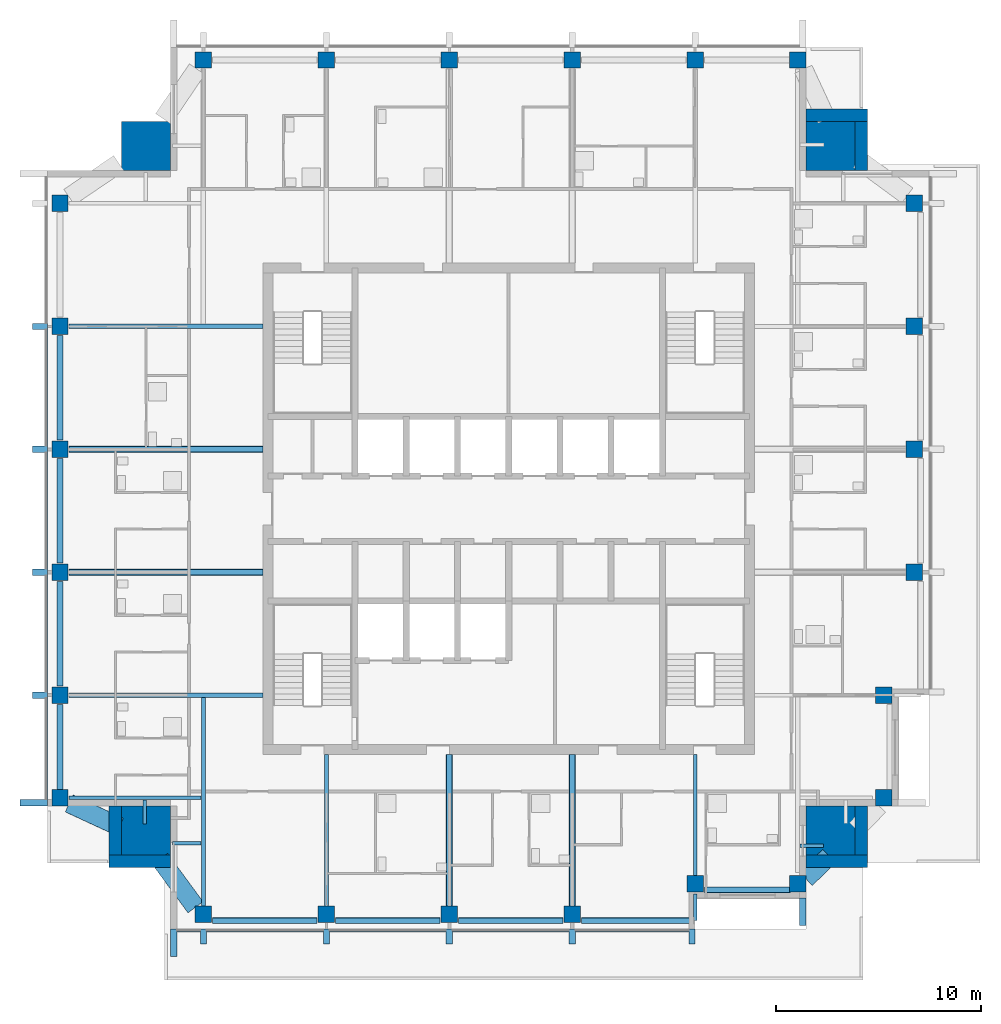
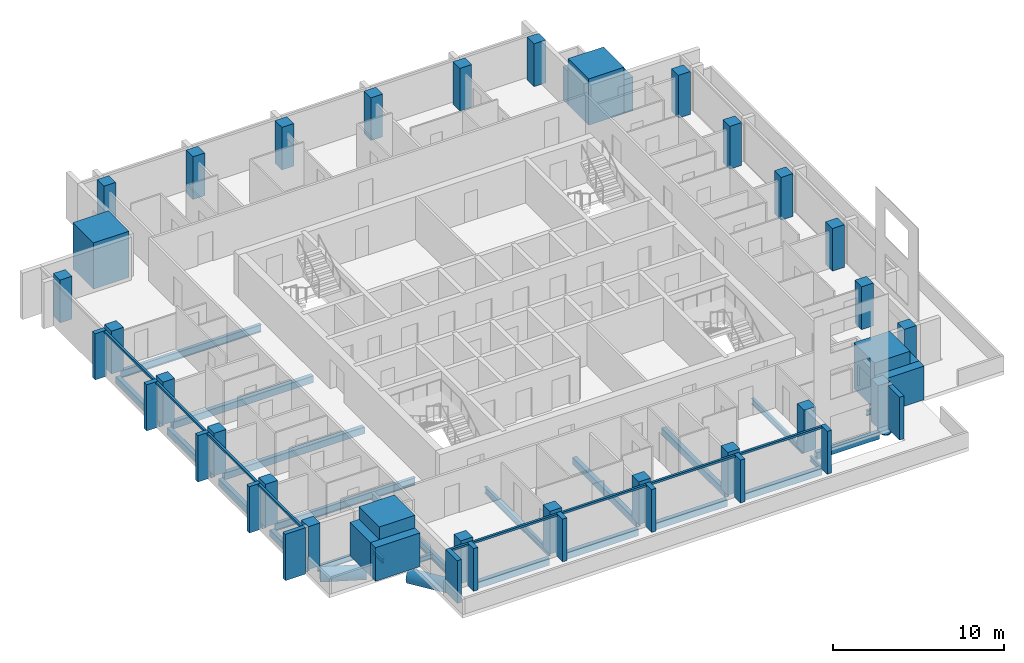
# One storey, part 1 of 11: 34 columns, 26 beams, 21 members, 2 elements without a shape of their own.
"""IFC4 building model written with IfcOpenShell, lengths in metres."""

from ifc_helpers import new_model, si_unit, direction, frame, origin, origin_2d, place, context, subcontext, project, spatial, rectangle, hollow_rectangle, hollow_circle, i_section, extrude, material, material_profile, profile_set, type_object, element, aggregate, save


model = new_model("IFC4")

# Units and contexts
model_context = context("Model", 3, precision=1e-05, world=origin(), true_north=direction((0.0, 1.0)))
body_context = subcontext(model_context, "Body", "Model", "MODEL_VIEW")
ifc_project = project(units=[si_unit("LENGTHUNIT", "METRE"), si_unit("AREAUNIT", "SQUARE_METRE"), si_unit("VOLUMEUNIT", "CUBIC_METRE"), si_unit("PLANEANGLEUNIT", "RADIAN"), si_unit("MASSUNIT", "GRAM", prefix="KILO")], contexts=[model_context])

# Site, building, storey
site_placement = place(None, origin())
site = spatial("IfcSite", under=ifc_project, at=site_placement, CompositionType="ELEMENT")
building_placement = place(site_placement, origin())
building = spatial("IfcBuilding", under=site, at=building_placement, Name="Amberfall Residences", CompositionType="ELEMENT")
storey_placement = place(building_placement, frame((0.0, 0.0, 238.89990234375)))
storey = spatial("IfcBuildingStorey", under=building, at=storey_placement, Name="L63", CompositionType="ELEMENT", Elevation=238.89990234375)

# Columns
ifc_material_1 = material(Name="Concrete C50", Category="concrete")
ifc_material_profile_1 = material_profile(ifc_material_1, rectangle(XDim=0.800048828125, YDim=0.800048828125, at=origin_2d()), Name="Column 800 x 800 C50")
ifc_profile_set_1 = profile_set([ifc_material_profile_1], Name="Concrete C50")
column_type_1 = type_object("IfcColumnType", Name="Column 800 x 800 C50", PredefinedType="COLUMN", material=ifc_profile_set_1)
for number, where, z_axis, x_axis, name in (
    (1, (59.60009765625, 25.699951171875, 0.0), (0.0, 0.0, 1.0), (1.0, 0.0, 0.0), "Column C5 L63 S1"),
    (2, (65.60009765625, 25.699951171875, 0.0), (0.0, 0.0, 1.0), (1.0, 0.0, 0.0), "Column C5 L63 S2"),
    (3, (71.60009765625, 25.699951171875, 0.0), (0.0, 0.0, 1.0), (1.0, 0.0, 0.0), "Column C5 L63 S3"),
    (4, (77.60009765625, 25.699951171875, 0.0), (0.0, 0.0, 1.0), (1.0, 0.0, 0.0), "Column C5 L63 S4"),
    (5, (83.60009765625, 27.199951171875, 0.0), (0.0, 0.0, 1.0), (1.0, 0.0, 0.0), "Column C5 L63 S5"),
    (6, (88.60009765625, 27.199951171875, 0.0), (0.0, 0.0, 1.0), (1.0, 0.0, 0.0), "Column C5 L63 S6"),
    (7, (92.800048828125, 31.39990234375, 0.0), (0.0, 0.0, 1.0), (1.0, 0.0, 0.0), "Column C5 L63 E1"),
    (8, (92.800048828125, 36.39990234375, 0.0), (0.0, 0.0, 1.0), (1.0, 0.0, 0.0), "Column C5 L63 E2"),
    (9, (94.300048828125, 42.39990234375, 0.0), (0.0, 0.0, 1.0), (1.0, 0.0, 0.0), "Column C5 L63 E3"),
    (10, (94.300048828125, 48.39990234375, 0.0), (0.0, 0.0, 1.0), (1.0, 0.0, 0.0), "Column C5 L63 E4"),
    (11, (94.300048828125, 54.39990234375, 0.0), (0.0, 0.0, 1.0), (1.0, 0.0, 0.0), "Column C5 L63 E5"),
    (12, (94.300048828125, 60.39990234375, 0.0), (0.0, 0.0, 1.0), (1.0, 0.0, 0.0), "Column C5 L63 E6"),
    (13, (59.60009765625, 67.39990234375, 0.0), (0.0, 0.0, 1.0), (1.0, 0.0, 0.0), "Column C5 L63 N1"),
    (14, (65.60009765625, 67.39990234375, 0.0), (0.0, 0.0, 1.0), (1.0, 0.0, 0.0), "Column C5 L63 N2"),
    (15, (71.60009765625, 67.39990234375, 0.0), (0.0, 0.0, 1.0), (1.0, 0.0, 0.0), "Column C5 L63 N3"),
    (16, (77.60009765625, 67.39990234375, 0.0), (0.0, 0.0, 1.0), (1.0, 0.0, 0.0), "Column C5 L63 N4"),
    (17, (83.60009765625, 67.39990234375, 0.0), (0.0, 0.0, 1.0), (1.0, 0.0, 0.0), "Column C5 L63 N5"),
    (18, (88.60009765625, 67.39990234375, 0.0), (0.0, 0.0, 1.0), (1.0, 0.0, 0.0), "Column C5 L63 N6"),
    (19, (52.60009765625, 31.39990234375, 0.0), (0.0, 0.0, 1.0), (1.0, 0.0, 0.0), "Column C5 L63 W1"),
    (20, (52.60009765625, 36.39990234375, 0.0), (0.0, 0.0, 1.0), (1.0, 0.0, 0.0), "Column C5 L63 W2"),
    (21, (52.60009765625, 42.39990234375, 0.0), (0.0, 0.0, 1.0), (1.0, 0.0, 0.0), "Column C5 L63 W3"),
    (22, (52.60009765625, 48.39990234375, 0.0), (0.0, 0.0, 1.0), (1.0, 0.0, 0.0), "Column C5 L63 W4"),
    (23, (52.60009765625, 54.39990234375, 0.0), (0.0, 0.0, 1.0), (1.0, 0.0, 0.0), "Column C5 L63 W5"),
    (24, (52.60009765625, 60.39990234375, 0.0), (0.0, 0.0, 1.0), (1.0, 0.0, 0.0), "Column C5 L63 W6"),
):
    element("IfcColumn", number, at=place(storey_placement, frame(where, z_axis=z_axis, x_axis=x_axis)), inside=storey, type_object=column_type_1, Name=name, PredefinedType="COLUMN", context=body_context, shape_type="SweptSolid", body=[
        extrude(rectangle(XDim=0.800048828125, YDim=0.800048828125, at=origin_2d()), origin(), (0.0, 0.0, 1.0), 3.050048828125),
    ])
ifc_material_profile_2 = material_profile(ifc_material_1, rectangle(XDim=3.0, YDim=0.60009765625, at=origin_2d()), Name="Mega collar 3000 x 600 C50")
ifc_profile_set_2 = profile_set([ifc_material_profile_2], Name="Concrete C50")
column_type_2 = type_object("IfcColumnType", Name="Mega collar 3000 x 600 C50", PredefinedType="COLUMN", material=ifc_profile_set_2)
for number, where, z_axis, x_axis, name in (
    (25, (56.5, 28.300048828125, 0.0), (0.0, 0.0, 1.0), (1.0, 0.0, 0.0), "Mega collar MC12 L63 SW a"),
    (26, (90.5, 28.300048828125, 0.0), (0.0, 0.0, 1.0), (1.0, 0.0, 0.0), "Mega collar MC12 L63 SE a"),
    (27, (90.5, 64.699951171875, 0.0), (0.0, 0.0, 1.0), (1.0, 0.0, 0.0), "Mega collar MC12 L63 NE a"),
):
    element("IfcColumn", number, at=place(storey_placement, frame(where, z_axis=z_axis, x_axis=x_axis)), inside=storey, type_object=column_type_2, Name=name, PredefinedType="COLUMN", context=body_context, shape_type="SweptSolid", body=[
        extrude(rectangle(XDim=3.0, YDim=0.60009765625, at=origin_2d()), origin(), (0.0, 0.0, 1.0), 2.400146484375),
    ])
ifc_material_profile_3 = material_profile(ifc_material_1, rectangle(XDim=0.60009765625, YDim=2.39990234375, at=origin_2d()), Name="Mega collar 600 x 2400 C50")
ifc_profile_set_3 = profile_set([ifc_material_profile_3], Name="Concrete C50")
column_type_3 = type_object("IfcColumnType", Name="Mega collar 600 x 2400 C50", PredefinedType="COLUMN", material=ifc_profile_set_3)
for number, where, z_axis, x_axis, name in (
    (28, (55.300048828125, 29.800048828125, 0.0), (0.0, 0.0, 1.0), (1.0, 0.0, 0.0), "Mega collar MC13 L63 SW b"),
    (29, (91.699951171875, 29.800048828125, 0.0), (0.0, 0.0, 1.0), (1.0, 0.0, 0.0), "Mega collar MC13 L63 SE b"),
    (30, (91.699951171875, 63.199951171875, 0.0), (0.0, 0.0, 1.0), (1.0, 0.0, 0.0), "Mega collar MC13 L63 NE b"),
):
    element("IfcColumn", number, at=place(storey_placement, frame(where, z_axis=z_axis, x_axis=x_axis)), inside=storey, type_object=column_type_3, Name=name, PredefinedType="COLUMN", context=body_context, shape_type="SweptSolid", body=[
        extrude(rectangle(XDim=0.60009765625, YDim=2.39990234375, at=origin_2d()), origin(), (0.0, 0.0, 1.0), 2.400146484375),
    ])
ifc_material_profile_4 = material_profile(ifc_material_1, rectangle(XDim=2.39990234375, YDim=2.39990234375, at=origin_2d()), Name="Mega column 2400 x 2400 C50")
ifc_profile_set_4 = profile_set([ifc_material_profile_4], Name="Concrete C50")
column_type_4 = type_object("IfcColumnType", Name="Mega column 2400 x 2400 C50", PredefinedType="COLUMN", material=ifc_profile_set_4)
for number, where, z_axis, x_axis, name in (
    (31, (56.800048828125, 29.800048828125, 0.0), (0.0, 0.0, 1.0), (1.0, 0.0, 0.0), "Mega column MC11 L63 SW"),
    (32, (90.199951171875, 29.800048828125, 0.0), (0.0, 0.0, 1.0), (1.0, 0.0, 0.0), "Mega column MC11 L63 SE"),
    (33, (90.199951171875, 63.199951171875, 0.0), (0.0, 0.0, 1.0), (1.0, 0.0, 0.0), "Mega column MC11 L63 NE"),
    (34, (56.800048828125, 63.199951171875, 0.0), (0.0, 0.0, 1.0), (1.0, 0.0, 0.0), "Mega column MC11 L63 NW"),
):
    element("IfcColumn", number, at=place(storey_placement, frame(where, z_axis=z_axis, x_axis=x_axis)), inside=storey, type_object=column_type_4, Name=name, PredefinedType="COLUMN", context=body_context, shape_type="SweptSolid", body=[
        extrude(rectangle(XDim=2.39990234375, YDim=2.39990234375, at=origin_2d()), origin(), (0.0, 0.0, 1.0), 3.300048828125),
    ])

# Beams
ifc_material_2 = material(Name="Steel S355", Category="steel")
ifc_material_profile_5 = material_profile(ifc_material_2, hollow_circle(Radius=0.457275390625, WallThickness=0.06005859375, at=origin_2d()), Name="CHS 914.4x60")
ifc_profile_set_5 = profile_set([ifc_material_profile_5], Name="Steel S355")
beam_type_1 = type_object("IfcBeamType", Name="Belt truss chord BT CHS 914.4x60", PredefinedType="BEAM", material=ifc_profile_set_5)
beam_1_placement = place(storey_placement, frame((57.482421875, 28.406494140625, -0.70703125), z_axis=(0.592794884594, -0.805353478169, 0.0), x_axis=(0.805353478169, 0.592794884594, 0.0)))
element("IfcBeam", 35, at=beam_1_placement, inside=storey, type_object=beam_type_1, Name="Belt truss chord BT BT2 L63 47", PredefinedType="BEAM", context=body_context, shape_type="SweptSolid", body=[
    extrude(hollow_circle(Radius=0.457275390625, WallThickness=0.06005859375, at=origin_2d()), origin(), (0.0, 0.0, 1.0), 2.926513671875),
])
beam_2_placement = place(storey_placement, frame((55.497802734375, 29.983642578125, -0.70703125), z_axis=(-0.907593410347, 0.419850213165, 0.0), x_axis=(-0.419850213165, -0.907593410347, 0.0)))
element("IfcBeam", 36, at=beam_2_placement, inside=storey, type_object=beam_type_1, Name="Belt truss chord BT BT2 L63 48", PredefinedType="BEAM", context=body_context, shape_type="SweptSolid", body=[
    extrude(hollow_circle(Radius=0.457275390625, WallThickness=0.06005859375, at=origin_2d()), origin(), (0.0, 0.0, 1.0), 2.697021484375),
])
beam_3_placement = place(storey_placement, frame((90.146240234375, 28.548095703125, -0.70703125), z_axis=(-0.720082066306, -0.693888908821, 0.0), x_axis=(0.693888908821, -0.720082066306, 0.0)))
element("IfcBeam", 37, at=beam_3_placement, inside=storey, type_object=beam_type_1, Name="Belt truss chord BT BT2 L63 49", PredefinedType="BEAM", context=body_context, shape_type="SweptSolid", body=[
    extrude(hollow_circle(Radius=0.457275390625, WallThickness=0.06005859375, at=origin_2d()), origin(), (0.0, 0.0, 1.0), 1.59375),
])
ifc_material_profile_6 = material_profile(ifc_material_2, hollow_rectangle(XDim=0.300048828125, YDim=0.5, WallThickness=0.01611328125, InnerFilletRadius=0.01611328125, OuterFilletRadius=0.02392578125, at=origin_2d()), Name="RHS 500x300x16")
ifc_profile_set_6 = profile_set([ifc_material_profile_6], Name="Steel S355")
beam_type_2 = type_object("IfcBeamType", Name="Belt truss chord BT RHS 500x300x16", PredefinedType="BEAM", material=ifc_profile_set_6)
for number, where, z_axis, x_axis, name in (
    (38, (60.050048828125, 25.39990234375, -0.5), (1.0, 0.0, 0.0), (0.0, 1.0, 0.0), "Belt truss chord BT BT1 L63 01"),
    (39, (66.050048828125, 25.39990234375, -0.5), (1.0, 0.0, 0.0), (0.0, 1.0, 0.0), "Belt truss chord BT BT1 L63 02"),
    (40, (72.050048828125, 25.39990234375, -0.5), (1.0, 0.0, 0.0), (0.0, 1.0, 0.0), "Belt truss chord BT BT1 L63 03"),
):
    element("IfcBeam", number, at=place(storey_placement, frame(where, z_axis=z_axis, x_axis=x_axis)), inside=storey, type_object=beam_type_2, Name=name, PredefinedType="BEAM", context=body_context, shape_type="SweptSolid", body=[
        extrude(hollow_rectangle(XDim=0.300048828125, YDim=0.5, WallThickness=0.01611328125, InnerFilletRadius=0.01611328125, OuterFilletRadius=0.02392578125, at=origin_2d()), origin(), (0.0, 0.0, 1.0), 5.099853515625),
    ])
beam_4_placement = place(storey_placement, frame((78.050048828125, 25.39990234375, -0.5), z_axis=(1.0, 0.0, 0.0), x_axis=(0.0, 1.0, 0.0)))
element("IfcBeam", 41, at=beam_4_placement, inside=storey, type_object=beam_type_2, Name="Belt truss chord BT BT1 L63 04", PredefinedType="BEAM", context=body_context, shape_type="SweptSolid", body=[
    extrude(hollow_rectangle(XDim=0.300048828125, YDim=0.5, WallThickness=0.01611328125, InnerFilletRadius=0.01611328125, OuterFilletRadius=0.02392578125, at=origin_2d()), origin(), (0.0, 0.0, 1.0), 5.469970703125),
])
beam_5_placement = place(storey_placement, frame((84.050048828125, 26.89990234375, -0.5), z_axis=(1.0, 0.0, 0.0), x_axis=(0.0, 1.0, 0.0)))
element("IfcBeam", 42, at=beam_5_placement, inside=storey, type_object=beam_type_2, Name="Belt truss chord BT BT1 L63 05", PredefinedType="BEAM", context=body_context, shape_type="SweptSolid", body=[
    extrude(hollow_rectangle(XDim=0.300048828125, YDim=0.5, WallThickness=0.01611328125, InnerFilletRadius=0.01611328125, OuterFilletRadius=0.02392578125, at=origin_2d()), origin(), (0.0, 0.0, 1.0), 4.21240234375),
])
beam_6_placement = place(storey_placement, frame((52.60009765625, 31.79833984375, -0.5), z_axis=(0.0, 1.0, 0.0), x_axis=(-1.0, 0.0, 0.0)))
element("IfcBeam", 43, at=beam_6_placement, inside=storey, type_object=beam_type_2, Name="Belt truss chord BT BT1 L63 36", PredefinedType="BEAM", context=body_context, shape_type="SweptSolid", body=[
    extrude(hollow_rectangle(XDim=0.300048828125, YDim=0.5, WallThickness=0.01611328125, InnerFilletRadius=0.01611328125, OuterFilletRadius=0.02392578125, at=origin_2d()), origin(), (0.0, 0.0, 1.0), 4.151611328125),
])
for number, where, z_axis, x_axis, name in (
    (44, (52.60009765625, 36.85009765625, -0.5), (0.0, 1.0, 0.0), (-1.0, 0.0, 0.0), "Belt truss chord BT BT1 L63 37"),
    (45, (52.60009765625, 42.85009765625, -0.5), (0.0, 1.0, 0.0), (-1.0, 0.0, 0.0), "Belt truss chord BT BT1 L63 38"),
    (46, (52.60009765625, 48.85009765625, -0.5), (0.0, 1.0, 0.0), (-1.0, 0.0, 0.0), "Belt truss chord BT BT1 L63 39"),
):
    element("IfcBeam", number, at=place(storey_placement, frame(where, z_axis=z_axis, x_axis=x_axis)), inside=storey, type_object=beam_type_2, Name=name, PredefinedType="BEAM", context=body_context, shape_type="SweptSolid", body=[
        extrude(hollow_rectangle(XDim=0.300048828125, YDim=0.5, WallThickness=0.01611328125, InnerFilletRadius=0.01611328125, OuterFilletRadius=0.02392578125, at=origin_2d()), origin(), (0.0, 0.0, 1.0), 5.099853515625),
    ])

# Curtain wall, members
ifc_material_3 = material(Name="Bronze anodised aluminium and glass", Category="aluminium")
curtain_wall_type = type_object("IfcCurtainWallType", Name="Curtain wall CW1 tower unit", PredefinedType="USERDEFINED", material=ifc_material_3)
curtain_wall_1_placement = place(storey_placement, origin())
curtain_wall_1 = element("IfcCurtainWall", 47, at=curtain_wall_1_placement, inside=storey, type_object=curtain_wall_type, Name="Curtain wall L63 S S1", ObjectType="UNITISED CURTAIN WALL", PredefinedType="USERDEFINED")
ifc_material_4 = material(Name="Bronze anodised aluminium", Category="aluminium")
ifc_material_profile_7 = material_profile(ifc_material_4, rectangle(XDim=0.14990234375, YDim=0.14990234375, at=origin_2d()), Name="CW1 transom 150 x 150 bronze")
ifc_profile_set_7 = profile_set([ifc_material_profile_7], Name="Bronze anodised aluminium")
member_type_1 = type_object("IfcMemberType", Name="CW1 transom 150 x 150 bronze", PredefinedType="USERDEFINED", material=ifc_profile_set_7)
member_1_placement = place(storey_placement, frame((58.300048828125, 24.925048828125, 2.97509765625), z_axis=(1.0, 0.0, 0.0), x_axis=(0.0, 1.0, 0.0)))
member_1 = element("IfcMember", 48, at=member_1_placement, type_object=member_type_1, Name="CW1 transom 1.1", ObjectType="TRANSOM", PredefinedType="USERDEFINED", context=body_context, shape_type="SweptSolid", body=[
    extrude(rectangle(XDim=0.14990234375, YDim=0.14990234375, at=origin_2d()), origin(), (0.0, 0.0, 1.0), 1.14990234375),
])
member_2_placement = place(storey_placement, frame((59.75, 24.925048828125, 2.97509765625), z_axis=(1.0, 0.0, 0.0), x_axis=(0.0, 1.0, 0.0)))
member_2 = element("IfcMember", 49, at=member_2_placement, type_object=member_type_1, Name="CW1 transom 2.1", ObjectType="TRANSOM", PredefinedType="USERDEFINED", context=body_context, shape_type="SweptSolid", body=[
    extrude(rectangle(XDim=0.14990234375, YDim=0.14990234375, at=origin_2d()), origin(), (0.0, 0.0, 1.0), 5.699951171875),
])
member_3_placement = place(storey_placement, frame((65.75, 24.925048828125, 2.97509765625), z_axis=(1.0, 0.0, 0.0), x_axis=(0.0, 1.0, 0.0)))
member_3 = element("IfcMember", 50, at=member_3_placement, type_object=member_type_1, Name="CW1 transom 3.1", ObjectType="TRANSOM", PredefinedType="USERDEFINED", context=body_context, shape_type="SweptSolid", body=[
    extrude(rectangle(XDim=0.14990234375, YDim=0.14990234375, at=origin_2d()), origin(), (0.0, 0.0, 1.0), 5.699951171875),
])
member_4_placement = place(storey_placement, frame((71.75, 24.925048828125, 2.97509765625), z_axis=(1.0, 0.0, 0.0), x_axis=(0.0, 1.0, 0.0)))
member_4 = element("IfcMember", 51, at=member_4_placement, type_object=member_type_1, Name="CW1 transom 4.1", ObjectType="TRANSOM", PredefinedType="USERDEFINED", context=body_context, shape_type="SweptSolid", body=[
    extrude(rectangle(XDim=0.14990234375, YDim=0.14990234375, at=origin_2d()), origin(), (0.0, 0.0, 1.0), 5.699951171875),
])
member_5_placement = place(storey_placement, frame((77.75, 24.925048828125, 2.97509765625), z_axis=(1.0, 0.0, 0.0), x_axis=(0.0, 1.0, 0.0)))
member_5 = element("IfcMember", 52, at=member_5_placement, type_object=member_type_1, Name="CW1 transom 5.1", ObjectType="TRANSOM", PredefinedType="USERDEFINED", context=body_context, shape_type="SweptSolid", body=[
    extrude(rectangle(XDim=0.14990234375, YDim=0.14990234375, at=origin_2d()), origin(), (0.0, 0.0, 1.0), 5.550048828125),
])

curtain_wall_2_placement = place(storey_placement, origin())
curtain_wall_2 = element("IfcCurtainWall", 53, at=curtain_wall_2_placement, inside=storey, type_object=curtain_wall_type, Name="Curtain wall L63 W W1", ObjectType="UNITISED CURTAIN WALL", PredefinedType="USERDEFINED")
member_6_placement = place(storey_placement, frame((51.925048828125, 54.25, 2.97509765625), z_axis=(0.0, -1.0, 0.0), x_axis=(1.0, 0.0, 0.0)))
member_6 = element("IfcMember", 54, at=member_6_placement, type_object=member_type_1, Name="CW1 transom 3.1", ObjectType="TRANSOM", PredefinedType="USERDEFINED", context=body_context, shape_type="SweptSolid", body=[
    extrude(rectangle(XDim=0.14990234375, YDim=0.14990234375, at=origin_2d()), origin(), (0.0, 0.0, 1.0), 5.699951171875),
])
member_7_placement = place(storey_placement, frame((51.925048828125, 48.25, 2.97509765625), z_axis=(0.0, -1.0, 0.0), x_axis=(1.0, 0.0, 0.0)))
member_7 = element("IfcMember", 55, at=member_7_placement, type_object=member_type_1, Name="CW1 transom 4.1", ObjectType="TRANSOM", PredefinedType="USERDEFINED", context=body_context, shape_type="SweptSolid", body=[
    extrude(rectangle(XDim=0.14990234375, YDim=0.14990234375, at=origin_2d()), origin(), (0.0, 0.0, 1.0), 5.699951171875),
])
member_8_placement = place(storey_placement, frame((51.925048828125, 42.25, 2.97509765625), z_axis=(0.0, -1.0, 0.0), x_axis=(1.0, 0.0, 0.0)))
member_8 = element("IfcMember", 56, at=member_8_placement, type_object=member_type_1, Name="CW1 transom 5.1", ObjectType="TRANSOM", PredefinedType="USERDEFINED", context=body_context, shape_type="SweptSolid", body=[
    extrude(rectangle(XDim=0.14990234375, YDim=0.14990234375, at=origin_2d()), origin(), (0.0, 0.0, 1.0), 5.699951171875),
])
member_9_placement = place(storey_placement, frame((51.925048828125, 36.25, 2.97509765625), z_axis=(0.0, -1.0, 0.0), x_axis=(1.0, 0.0, 0.0)))
member_9 = element("IfcMember", 57, at=member_9_placement, type_object=member_type_1, Name="CW1 transom 6.1", ObjectType="TRANSOM", PredefinedType="USERDEFINED", context=body_context, shape_type="SweptSolid", body=[
    extrude(rectangle(XDim=0.14990234375, YDim=0.14990234375, at=origin_2d()), origin(), (0.0, 0.0, 1.0), 4.949951171875),
])

# Beam
ifc_material_profile_8 = material_profile(ifc_material_2, i_section(OverallWidth=0.171142578125, OverallDepth=0.351318359375, WebThickness=0.007080078125, FlangeThickness=0.009765625, FilletRadius=0.01025390625, at=origin_2d()), Name="UB 356x171x45")
ifc_profile_set_8 = profile_set([ifc_material_profile_8], Name="Steel S355")
beam_type_3 = type_object("IfcBeamType", Name="Cantilever girder UB 356x171x45", PredefinedType="BEAM", material=ifc_profile_set_8)
beam_7_placement = place(storey_placement, frame((83.60009765625, 26.69580078125, -0.425537109375), z_axis=(0.0, -1.0, 0.0), x_axis=(1.0, 0.0, 0.0)))
element("IfcBeam", 58, at=beam_7_placement, inside=storey, type_object=beam_type_3, Name="Cantilever girder B8 L63 06", PredefinedType="BEAM", context=body_context, shape_type="SweptSolid", body=[
    extrude(i_section(OverallWidth=0.171142578125, OverallDepth=0.351318359375, WebThickness=0.007080078125, FlangeThickness=0.009765625, FilletRadius=0.01025390625, at=origin_2d()), origin(), (0.0, 0.0, 1.0), 1.2958984375),
])

# Member
ifc_material_profile_9 = material_profile(ifc_material_4, rectangle(XDim=1.35009765625, YDim=0.300048828125, at=origin_2d()), Name="Corner fin 300 x 1350 bronze")
ifc_profile_set_9 = profile_set([ifc_material_profile_9], Name="Bronze anodised aluminium")
member_type_2 = type_object("IfcMemberType", Name="Corner fin 300 x 1350 bronze", PredefinedType="MULLION", material=ifc_profile_set_9)
member_10_placement = place(storey_placement, frame((58.14990234375, 24.324951171875, 0.0), z_axis=(0.0, 0.0, 1.0), x_axis=(0.0, 1.0, 0.0)))
member_10 = element("IfcMember", 59, at=member_10_placement, type_object=member_type_2, Name="CW FIN 1", PredefinedType="MULLION", context=body_context, shape_type="SweptSolid", body=[
    extrude(rectangle(XDim=1.35009765625, YDim=0.300048828125, at=origin_2d()), origin(), (0.0, 0.0, 1.0), 3.050048828125),
])

member_11_placement = place(storey_placement, frame((51.324951171875, 31.14990234375, -0.25), z_axis=(0.0, 0.0, 1.0), x_axis=(1.0, 0.0, 0.0)))
member_11 = element("IfcMember", 60, at=member_11_placement, type_object=member_type_2, Name="CW FIN 7", PredefinedType="MULLION", context=body_context, shape_type="SweptSolid", body=[
    extrude(rectangle(XDim=1.35009765625, YDim=0.300048828125, at=origin_2d()), origin(), (0.0, 0.0, 1.0), 3.300048828125),
])

ifc_material_profile_10 = material_profile(ifc_material_4, rectangle(XDim=0.75, YDim=0.300048828125, at=origin_2d()), Name="Fin 300 x 750 bronze")
ifc_profile_set_10 = profile_set([ifc_material_profile_10], Name="Bronze anodised aluminium")
member_type_3 = type_object("IfcMemberType", Name="Fin 300 x 750 bronze", PredefinedType="MULLION", material=ifc_profile_set_10)
member_12_placement = place(storey_placement, frame((59.60009765625, 24.625, 0.0), z_axis=(0.0, 0.0, 1.0), x_axis=(0.0, 1.0, 0.0)))
member_12 = element("IfcMember", 61, at=member_12_placement, type_object=member_type_3, Name="CW FIN 2", PredefinedType="MULLION", context=body_context, shape_type="SweptSolid", body=[
    extrude(rectangle(XDim=0.75, YDim=0.300048828125, at=origin_2d()), origin(), (0.0, 0.0, 1.0), 3.050048828125),
])

member_13_placement = place(storey_placement, frame((65.60009765625, 24.625, 0.0), z_axis=(0.0, 0.0, 1.0), x_axis=(0.0, 1.0, 0.0)))
member_13 = element("IfcMember", 62, at=member_13_placement, type_object=member_type_3, Name="CW FIN 3", PredefinedType="MULLION", context=body_context, shape_type="SweptSolid", body=[
    extrude(rectangle(XDim=0.75, YDim=0.300048828125, at=origin_2d()), origin(), (0.0, 0.0, 1.0), 3.050048828125),
])

member_14_placement = place(storey_placement, frame((71.60009765625, 24.625, 0.0), z_axis=(0.0, 0.0, 1.0), x_axis=(0.0, 1.0, 0.0)))
member_14 = element("IfcMember", 63, at=member_14_placement, type_object=member_type_3, Name="CW FIN 4", PredefinedType="MULLION", context=body_context, shape_type="SweptSolid", body=[
    extrude(rectangle(XDim=0.75, YDim=0.300048828125, at=origin_2d()), origin(), (0.0, 0.0, 1.0), 3.050048828125),
])

member_15_placement = place(storey_placement, frame((77.60009765625, 24.625, 0.0), z_axis=(0.0, 0.0, 1.0), x_axis=(0.0, 1.0, 0.0)))
member_15 = element("IfcMember", 64, at=member_15_placement, type_object=member_type_3, Name="CW FIN 5", PredefinedType="MULLION", context=body_context, shape_type="SweptSolid", body=[
    extrude(rectangle(XDim=0.75, YDim=0.300048828125, at=origin_2d()), origin(), (0.0, 0.0, 1.0), 3.050048828125),
])

member_16_placement = place(storey_placement, frame((83.449951171875, 24.625, 0.0), z_axis=(0.0, 0.0, 1.0), x_axis=(0.0, 1.0, 0.0)))
member_16 = element("IfcMember", 65, at=member_16_placement, type_object=member_type_3, Name="CW FIN 6", PredefinedType="MULLION", context=body_context, shape_type="SweptSolid", body=[
    extrude(rectangle(XDim=0.75, YDim=0.300048828125, at=origin_2d()), origin(), (0.0, 0.0, 1.0), 3.050048828125),
])

aggregate(curtain_wall_1, [member_10, member_12, member_13, member_14, member_15, member_16, member_1, member_2, member_3, member_4, member_5])

member_17_placement = place(storey_placement, frame((51.625, 54.39990234375, -0.25), z_axis=(0.0, 0.0, 1.0), x_axis=(1.0, 0.0, 0.0)))
member_17 = element("IfcMember", 66, at=member_17_placement, type_object=member_type_3, Name="CW FIN 3", PredefinedType="MULLION", context=body_context, shape_type="SweptSolid", body=[
    extrude(rectangle(XDim=0.75, YDim=0.300048828125, at=origin_2d()), origin(), (0.0, 0.0, 1.0), 3.300048828125),
])

member_18_placement = place(storey_placement, frame((51.625, 48.39990234375, -0.25), z_axis=(0.0, 0.0, 1.0), x_axis=(1.0, 0.0, 0.0)))
member_18 = element("IfcMember", 67, at=member_18_placement, type_object=member_type_3, Name="CW FIN 4", PredefinedType="MULLION", context=body_context, shape_type="SweptSolid", body=[
    extrude(rectangle(XDim=0.75, YDim=0.300048828125, at=origin_2d()), origin(), (0.0, 0.0, 1.0), 3.300048828125),
])

member_19_placement = place(storey_placement, frame((51.625, 42.39990234375, -0.25), z_axis=(0.0, 0.0, 1.0), x_axis=(1.0, 0.0, 0.0)))
member_19 = element("IfcMember", 68, at=member_19_placement, type_object=member_type_3, Name="CW FIN 5", PredefinedType="MULLION", context=body_context, shape_type="SweptSolid", body=[
    extrude(rectangle(XDim=0.75, YDim=0.300048828125, at=origin_2d()), origin(), (0.0, 0.0, 1.0), 3.300048828125),
])

member_20_placement = place(storey_placement, frame((51.625, 36.39990234375, -0.25), z_axis=(0.0, 0.0, 1.0), x_axis=(1.0, 0.0, 0.0)))
member_20 = element("IfcMember", 69, at=member_20_placement, type_object=member_type_3, Name="CW FIN 6", PredefinedType="MULLION", context=body_context, shape_type="SweptSolid", body=[
    extrude(rectangle(XDim=0.75, YDim=0.300048828125, at=origin_2d()), origin(), (0.0, 0.0, 1.0), 3.300048828125),
])

aggregate(curtain_wall_2, [member_17, member_18, member_19, member_20, member_11, member_6, member_7, member_8, member_9])

# Beams
ifc_material_profile_11 = material_profile(ifc_material_2, i_section(OverallWidth=0.177734375, OverallDepth=0.402587890625, WebThickness=0.0078125, FlangeThickness=0.010986328125, FilletRadius=0.01025390625, at=origin_2d()), Name="UB 406x178x54")
ifc_profile_set_11 = profile_set([ifc_material_profile_11], Name="Steel S355")
beam_type_4 = type_object("IfcBeamType", Name="Floor girder UB 406x178x54", PredefinedType="BEAM", material=ifc_profile_set_11)
beam_8_placement = place(storey_placement, frame((83.60009765625, 27.6005859375, -0.451171875), z_axis=(0.0, 1.0, 0.0), x_axis=(-1.0, 0.0, 0.0)))
element("IfcBeam", 70, at=beam_8_placement, inside=storey, type_object=beam_type_4, Name="Floor girder B4 L63 11", PredefinedType="BEAM", context=body_context, shape_type="SweptSolid", body=[
    extrude(i_section(OverallWidth=0.177734375, OverallDepth=0.402587890625, WebThickness=0.0078125, FlangeThickness=0.010986328125, FilletRadius=0.01025390625, at=origin_2d()), origin(), (0.0, 0.0, 1.0), 5.8994140625),
])
beam_9_placement = place(storey_placement, frame((53.050048828125, 31.39990234375, -0.451171875), z_axis=(1.0, 0.0, 0.0), x_axis=(0.0, 1.0, 0.0)))
element("IfcBeam", 71, at=beam_9_placement, inside=storey, type_object=beam_type_4, Name="Floor girder B4 L63 41", PredefinedType="BEAM", context=body_context, shape_type="SweptSolid", body=[
    extrude(i_section(OverallWidth=0.177734375, OverallDepth=0.402587890625, WebThickness=0.0078125, FlangeThickness=0.010986328125, FilletRadius=0.01025390625, at=origin_2d()), origin(), (0.0, 0.0, 1.0), 6.429931640625),
])
ifc_material_profile_12 = material_profile(ifc_material_2, i_section(OverallWidth=0.19140625, OverallDepth=0.4599609375, WebThickness=0.010009765625, FlangeThickness=0.01611328125, FilletRadius=0.01025390625, at=origin_2d()), Name="UB 457x191x82")
ifc_profile_set_12 = profile_set([ifc_material_profile_12], Name="Steel S355")
beam_type_5 = type_object("IfcBeamType", Name="Floor girder UB 457x191x82", PredefinedType="BEAM", material=ifc_profile_set_12)
beam_10_placement = place(storey_placement, frame((65.60009765625, 26.049560546875, -0.47998046875), z_axis=(0.0, 1.0, 0.0), x_axis=(-1.0, 0.0, 0.0)))
element("IfcBeam", 72, at=beam_10_placement, inside=storey, type_object=beam_type_5, Name="Floor girder B10 L63 08", PredefinedType="BEAM", context=body_context, shape_type="SweptSolid", body=[
    extrude(i_section(OverallWidth=0.19140625, OverallDepth=0.4599609375, WebThickness=0.010009765625, FlangeThickness=0.01611328125, FilletRadius=0.01025390625, at=origin_2d()), origin(), (0.0, 0.0, 1.0), 7.450439453125),
])
ifc_material_profile_13 = material_profile(ifc_material_2, i_section(OverallWidth=0.209228515625, OverallDepth=0.533203125, WebThickness=0.010009765625, FlangeThickness=0.015625, FilletRadius=0.0126953125, at=origin_2d()), Name="UB 533x210x92")
ifc_profile_set_13 = profile_set([ifc_material_profile_13], Name="Steel S355")
beam_type_6 = type_object("IfcBeamType", Name="Floor girder UB 533x210x92", PredefinedType="BEAM", material=ifc_profile_set_13)
beam_11_placement = place(storey_placement, frame((59.60009765625, 26.049560546875, -0.516357421875), z_axis=(0.0, 1.0, 0.0), x_axis=(-1.0, 0.0, 0.0)))
element("IfcBeam", 73, at=beam_11_placement, inside=storey, type_object=beam_type_6, Name="Floor girder B3 L63 07", PredefinedType="BEAM", context=body_context, shape_type="SweptSolid", body=[
    extrude(i_section(OverallWidth=0.209228515625, OverallDepth=0.533203125, WebThickness=0.010009765625, FlangeThickness=0.015625, FilletRadius=0.0126953125, at=origin_2d()), origin(), (0.0, 0.0, 1.0), 10.250732421875),
])
for number, where, z_axis, x_axis, name in (
    (74, (53.050048828125, 36.39990234375, -0.516357421875), (1.0, 0.0, 0.0), (0.0, 1.0, 0.0), "Floor girder B3 L63 42"),
    (75, (53.050048828125, 54.39990234375, -0.516357421875), (1.0, 0.0, 0.0), (0.0, 1.0, 0.0), "Floor girder B3 L63 45"),
):
    element("IfcBeam", number, at=place(storey_placement, frame(where, z_axis=z_axis, x_axis=x_axis)), inside=storey, type_object=beam_type_6, Name=name, PredefinedType="BEAM", context=body_context, shape_type="SweptSolid", body=[
        extrude(i_section(OverallWidth=0.209228515625, OverallDepth=0.533203125, WebThickness=0.010009765625, FlangeThickness=0.015625, FilletRadius=0.0126953125, at=origin_2d()), origin(), (0.0, 0.0, 1.0), 9.449951171875),
    ])
ifc_material_profile_14 = material_profile(ifc_material_2, i_section(OverallWidth=0.171142578125, OverallDepth=0.351318359375, WebThickness=0.007080078125, FlangeThickness=0.009765625, FilletRadius=0.01025390625, at=origin_2d()), Name="UB 356x171x45")
ifc_profile_set_14 = profile_set([ifc_material_profile_14], Name="Steel S355")
beam_type_7 = type_object("IfcBeamType", Name="Link beam UB 356x171x45", PredefinedType="BEAM", material=ifc_profile_set_14)
beam_12_placement = place(storey_placement, frame((58.098876953125, 29.167236328125, -0.425537109375), z_axis=(1.0, 0.0, 0.0), x_axis=(0.0, 1.0, 0.0)))
element("IfcBeam", 76, at=beam_12_placement, inside=storey, type_object=beam_type_7, Name="Link beam B7 L63 55", PredefinedType="BEAM", context=body_context, shape_type="SweptSolid", body=[
    extrude(i_section(OverallWidth=0.171142578125, OverallDepth=0.351318359375, WebThickness=0.007080078125, FlangeThickness=0.009765625, FilletRadius=0.01025390625, at=origin_2d()), origin(), (0.0, 0.0, 1.0), 1.39599609375),
])
beam_13_placement = place(storey_placement, frame((56.73828125, 30.106201171875, -0.425537109375), z_axis=(0.0, 1.0, 0.0), x_axis=(-1.0, 0.0, 0.0)))
element("IfcBeam", 77, at=beam_13_placement, inside=storey, type_object=beam_type_7, Name="Link beam B7 L63 56", PredefinedType="BEAM", context=body_context, shape_type="SweptSolid", body=[
    extrude(i_section(OverallWidth=0.171142578125, OverallDepth=0.351318359375, WebThickness=0.007080078125, FlangeThickness=0.009765625, FilletRadius=0.01025390625, at=origin_2d()), origin(), (0.0, 0.0, 1.0), 1.188720703125),
])
beam_14_placement = place(storey_placement, frame((89.864501953125, 29.05078125, -0.425537109375), z_axis=(-1.0, 0.0, 0.0), x_axis=(0.0, -1.0, 0.0)))
element("IfcBeam", 78, at=beam_14_placement, inside=storey, type_object=beam_type_7, Name="Link beam B7 L63 57", PredefinedType="BEAM", context=body_context, shape_type="SweptSolid", body=[
    extrude(i_section(OverallWidth=0.171142578125, OverallDepth=0.351318359375, WebThickness=0.007080078125, FlangeThickness=0.009765625, FilletRadius=0.01025390625, at=origin_2d()), origin(), (0.0, 0.0, 1.0), 1.159423828125),
])
ifc_material_profile_15 = material_profile(ifc_material_2, hollow_rectangle(XDim=0.300048828125, YDim=0.5, WallThickness=0.01611328125, InnerFilletRadius=0.01611328125, OuterFilletRadius=0.02392578125, at=origin_2d()), Name="RHS 500x300x16")
ifc_profile_set_15 = profile_set([ifc_material_profile_15], Name="Steel S355")
beam_type_8 = type_object("IfcBeamType", Name="Outrigger truss chord OT RHS 500x300x16", PredefinedType="BEAM", material=ifc_profile_set_15)
beam_15_placement = place(storey_placement, frame((71.60009765625, 26.049560546875, -0.5), z_axis=(0.0, 1.0, 0.0), x_axis=(-1.0, 0.0, 0.0)))
element("IfcBeam", 79, at=beam_15_placement, inside=storey, type_object=beam_type_8, Name="Outrigger truss chord OT OT1 L63 09", PredefinedType="BEAM", context=body_context, shape_type="SweptSolid", body=[
    extrude(hollow_rectangle(XDim=0.300048828125, YDim=0.5, WallThickness=0.01611328125, InnerFilletRadius=0.01611328125, OuterFilletRadius=0.02392578125, at=origin_2d()), origin(), (0.0, 0.0, 1.0), 7.450439453125),
])
beam_16_placement = place(storey_placement, frame((77.60009765625, 26.1005859375, -0.5), z_axis=(0.0, 1.0, 0.0), x_axis=(-1.0, 0.0, 0.0)))
element("IfcBeam", 80, at=beam_16_placement, inside=storey, type_object=beam_type_8, Name="Outrigger truss chord OT OT1 L63 10", PredefinedType="BEAM", context=body_context, shape_type="SweptSolid", body=[
    extrude(hollow_rectangle(XDim=0.300048828125, YDim=0.5, WallThickness=0.01611328125, InnerFilletRadius=0.01611328125, OuterFilletRadius=0.02392578125, at=origin_2d()), origin(), (0.0, 0.0, 1.0), 7.3994140625),
])
for number, where, z_axis, x_axis, name in (
    (81, (53.050048828125, 42.39990234375, -0.5), (1.0, 0.0, 0.0), (0.0, 1.0, 0.0), "Outrigger truss chord OT OT1 L63 43"),
    (82, (53.050048828125, 48.39990234375, -0.5), (1.0, 0.0, 0.0), (0.0, 1.0, 0.0), "Outrigger truss chord OT OT1 L63 44"),
):
    element("IfcBeam", number, at=place(storey_placement, frame(where, z_axis=z_axis, x_axis=x_axis)), inside=storey, type_object=beam_type_8, Name=name, PredefinedType="BEAM", context=body_context, shape_type="SweptSolid", body=[
        extrude(hollow_rectangle(XDim=0.300048828125, YDim=0.5, WallThickness=0.01611328125, InnerFilletRadius=0.01611328125, OuterFilletRadius=0.02392578125, at=origin_2d()), origin(), (0.0, 0.0, 1.0), 9.449951171875),
    ])

# Member
ifc_material_profile_16 = material_profile(ifc_material_4, rectangle(XDim=1.35009765625, YDim=0.300048828125, at=origin_2d()), Name="Stone corner fin 300 x 1350 bronze")
ifc_profile_set_16 = profile_set([ifc_material_profile_16], Name="Bronze anodised aluminium")
member_type_4 = type_object("IfcMemberType", Name="Stone corner fin 300 x 1350 bronze", PredefinedType="MEMBER", material=ifc_profile_set_16)
member_21_placement = place(storey_placement, frame((88.85009765625, 25.824951171875, 0.0), z_axis=(0.0, 0.0, 1.0), x_axis=(0.0, 1.0, 0.0)))
element("IfcMember", 83, at=member_21_placement, inside=storey, type_object=member_type_4, Name="Corner fin S", PredefinedType="MEMBER", context=body_context, shape_type="SweptSolid", body=[
    extrude(rectangle(XDim=1.35009765625, YDim=0.300048828125, at=origin_2d()), origin(), (0.0, 0.0, 1.0), 3.050048828125),
])

save(model, "model.ifc")
